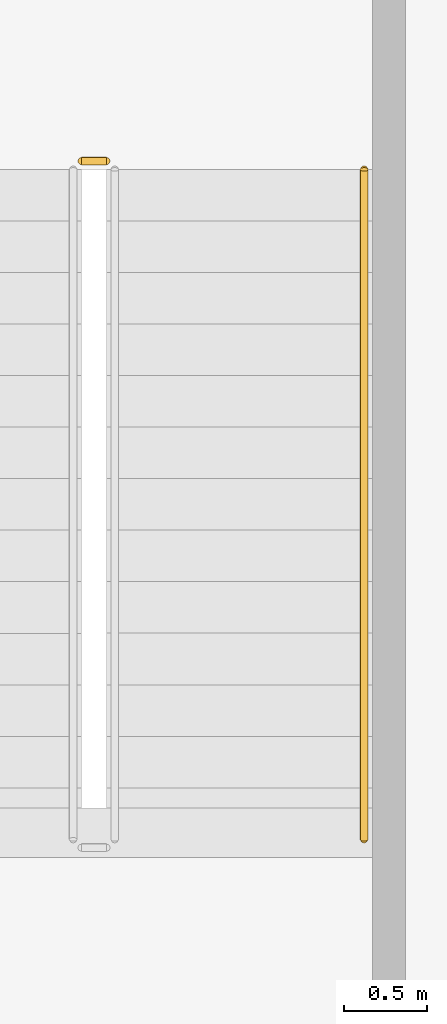
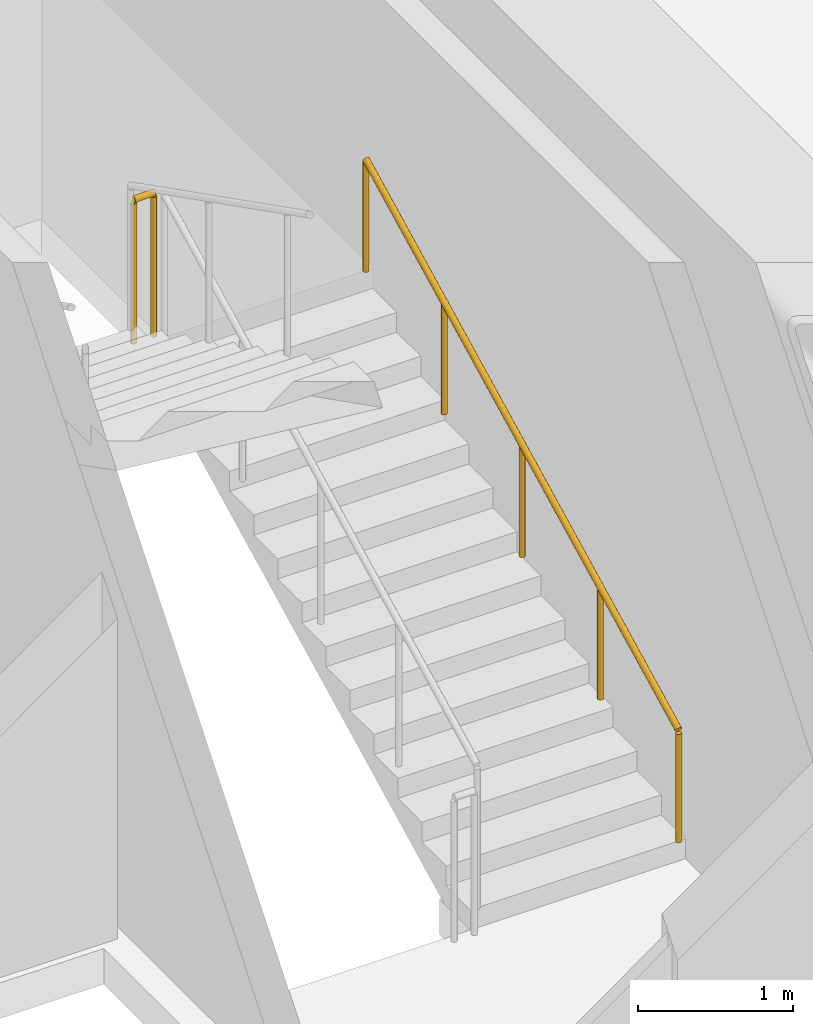
# One storey, part 20 of 21: 2 railings.
"""IFC4 building model written with IfcOpenShell, lengths in metres."""

from ifc_helpers import new_model, si_unit, direction, frame, origin, origin_2d, place, context, subcontext, project, spatial, circle, extrude, material, type_object, element, save


model = new_model("IFC4")

# Units and contexts
model_context = context("Model", 3, precision=1e-05, world=origin(), true_north=direction((0.0, 1.0)))
body_context = subcontext(model_context, "Body", "Model", "MODEL_VIEW")
ifc_project = project(units=[si_unit("LENGTHUNIT", "METRE"), si_unit("AREAUNIT", "SQUARE_METRE"), si_unit("VOLUMEUNIT", "CUBIC_METRE"), si_unit("PLANEANGLEUNIT", "RADIAN"), si_unit("MASSUNIT", "GRAM", prefix="KILO")], contexts=[model_context])

# Site, building, storey
site_placement = place(None, origin())
site = spatial("IfcSite", under=ifc_project, at=site_placement, CompositionType="ELEMENT")
building_placement = place(site_placement, origin())
building = spatial("IfcBuilding", under=site, at=building_placement, Name="Vaeldorn Concourse Tower", CompositionType="ELEMENT")
storey_placement = place(building_placement, frame((0.0, 0.0, 14.39990234375)))
storey = spatial("IfcBuildingStorey", under=building, at=storey_placement, Name="L03", CompositionType="ELEMENT", Elevation=14.39990234375)

# Railings
ifc_material = material(Name="Anodised Bronze Aluminium", Category="aluminium")
railing_type_1 = type_object("IfcRailingType", Name="RL-STAIR-GUARD", PredefinedType="GUARDRAIL", material=ifc_material)
railing_1_placement = place(storey_placement, frame((51.35009765625, 45.679931640625, 2.2001953125)))
element("IfcRailing", 1, at=railing_1_placement, inside=storey, type_object=railing_type_1, Name="L03 ST-2 stair guard 2", PredefinedType="GUARDRAIL", context=body_context, shape_type="SweptSolid", body=[
    extrude(circle(Radius=0.02392578125, at=origin_2d()), frame((0.0, 0.0, 1.1259765625), z_axis=(-1.0, 0.0, 0.0), x_axis=(0.0, -1.0, 0.0)), (0.0, 0.0, 1.0), 0.150146484375),
    extrude(circle(Radius=0.02099609375, at=origin_2d()), origin(), (0.0, 0.0, 1.0), 1.101806640625),
    extrude(circle(Radius=0.02099609375, at=origin_2d()), frame((-0.150146484375, 0.0, 0.0)), (0.0, 0.0, 1.0), 1.101806640625),
])
railing_type_2 = type_object("IfcRailingType", Name="RL-STAIR-HANDRAIL", PredefinedType="HANDRAIL", material=ifc_material)
railing_2_placement = place(storey_placement, frame((52.89990234375, 41.60009765625, 0.1572265625)))
element("IfcRailing", 2, at=railing_2_placement, inside=storey, type_object=railing_type_2, Name="L03 ST-2 stair handrail 1", PredefinedType="HANDRAIL", context=body_context, shape_type="SweptSolid", body=[
    extrude(circle(Radius=0.02392578125, at=origin_2d()), frame((0.0, 0.0, 0.8759765625), z_axis=(0.0, 0.891927692675, 0.452178052363), x_axis=(-1.0, 0.0, 0.0)), (0.0, 0.0, 1.0), 4.51806640625),
    extrude(circle(Radius=0.02099609375, at=origin_2d()), origin(), (0.0, 0.0, 1.0), 0.851806640625),
    extrude(circle(Radius=0.02099609375, at=origin_2d()), frame((0.0, 1.00732421875, 0.5107421875)), (0.0, 0.0, 1.0), 0.851806640625),
    extrude(circle(Radius=0.02099609375, at=origin_2d()), frame((0.0, 2.014892578125, 1.021484375)), (0.0, 0.0, 1.0), 0.851806640625),
    extrude(circle(Radius=0.02099609375, at=origin_2d()), frame((0.0, 3.0224609375, 1.5322265625)), (0.0, 0.0, 1.0), 0.851806640625),
    extrude(circle(Radius=0.02099609375, at=origin_2d()), frame((0.0, 4.02978515625, 2.04296875)), (0.0, 0.0, 1.0), 0.851806640625),
])

save(model, "model.ifc")
